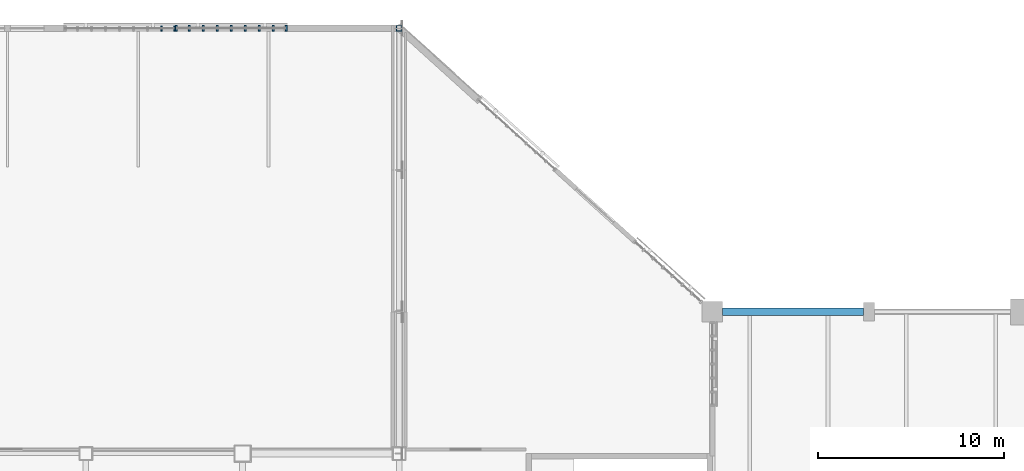
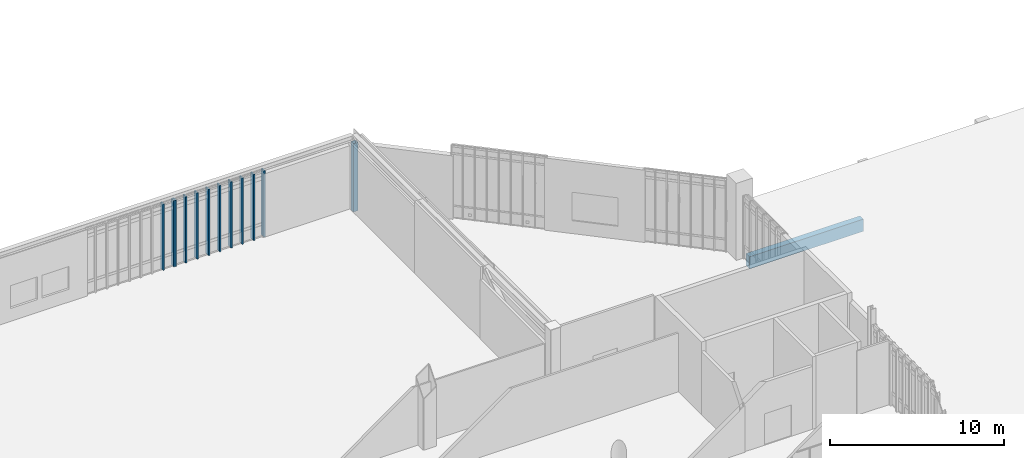
# One storey, part 31 of 135: 12 members, 1 beam, 2 elements without a shape of their own.
"""IFC4 building model written with IfcOpenShell, lengths in metres."""

from ifc_helpers import new_model, si_unit, direction, frame, origin, origin_2d, place, context, subcontext, project, spatial, rectangle, hollow_rectangle, extrude, material, material_profile, profile_set, type_object, element, aggregate, save


model = new_model("IFC4")

# Units and contexts
model_context = context("Model", 3, precision=1e-05, world=origin(), true_north=direction((0.0, 1.0)))
body_context = subcontext(model_context, "Body", "Model", "MODEL_VIEW")
ifc_project = project(units=[si_unit("LENGTHUNIT", "METRE"), si_unit("AREAUNIT", "SQUARE_METRE"), si_unit("VOLUMEUNIT", "CUBIC_METRE"), si_unit("PLANEANGLEUNIT", "RADIAN"), si_unit("MASSUNIT", "GRAM", prefix="KILO")], contexts=[model_context])

# Site, building, storey
site_placement = place(None, origin())
site = spatial("IfcSite", under=ifc_project, at=site_placement, CompositionType="ELEMENT")
building_placement = place(site_placement, origin())
building = spatial("IfcBuilding", under=site, at=building_placement, Name="Larkvane Passage Sports Hall", CompositionType="ELEMENT")
storey_placement = place(building_placement, frame((0.0, 0.0, 16.800048828125)))
storey = spatial("IfcBuildingStorey", under=building, at=storey_placement, Name="L03", CompositionType="ELEMENT", Elevation=16.800048828125)

# Curtain wall, members
ifc_material_1 = material(Name="Thermally broken aluminium and low-E glazing", Category="aluminium")
curtain_wall_type_1 = type_object("IfcCurtainWallType", Name="CW-CLINIC", PredefinedType="USERDEFINED", material=ifc_material_1)
curtain_wall_1_placement = place(storey_placement, origin())
curtain_wall_1 = element("IfcCurtainWall", 1, at=curtain_wall_1_placement, inside=storey, type_object=curtain_wall_type_1, Name="Curtain wall CW5-L03-139", ObjectType="UNITISED CURTAIN WALL", PredefinedType="USERDEFINED")
ifc_material_2 = material(Name="Anodised aluminium 6063-T6", Category="aluminium")
ifc_material_profile_1 = material_profile(ifc_material_2, rectangle(XDim=0.10009765625, YDim=0.320068359375, at=origin_2d()), Name="ALU-MUL-100x320")
ifc_profile_set_1 = profile_set([ifc_material_profile_1], Name="Anodised aluminium 6063-T6")
member_type_1 = type_object("IfcMemberType", Name="CW-MUL-100x320", PredefinedType="MULLION", material=ifc_profile_set_1)
member_1_placement = place(storey_placement, frame((64.85009765625, 114.39990234375, 0.0), z_axis=(0.0, 0.0, 1.0), x_axis=(1.0, 0.0, 0.0)))
member_1 = element("IfcMember", 2, at=member_1_placement, type_object=member_type_1, Name="CW-05 mullion 1", PredefinedType="MULLION", context=body_context, shape_type="SweptSolid", body=[
    extrude(rectangle(XDim=0.10009765625, YDim=0.320068359375, at=origin_2d()), origin(), (0.0, 0.0, 1.0), 4.64794921875),
])
member_2_placement = place(storey_placement, frame((65.550048828125, 114.39990234375, 0.0), z_axis=(0.0, 0.0, 1.0), x_axis=(1.0, 0.0, 0.0)))
member_2 = element("IfcMember", 3, at=member_2_placement, type_object=member_type_1, Name="CW-05 mullion 2", PredefinedType="MULLION", context=body_context, shape_type="SweptSolid", body=[
    extrude(rectangle(XDim=0.10009765625, YDim=0.320068359375, at=origin_2d()), origin(), (0.0, 0.0, 1.0), 4.64794921875),
])
member_3_placement = place(storey_placement, frame((66.300048828125, 114.39990234375, 0.0), z_axis=(0.0, 0.0, 1.0), x_axis=(1.0, 0.0, 0.0)))
member_3 = element("IfcMember", 4, at=member_3_placement, type_object=member_type_1, Name="CW-05 mullion 3", PredefinedType="MULLION", context=body_context, shape_type="SweptSolid", body=[
    extrude(rectangle(XDim=0.10009765625, YDim=0.320068359375, at=origin_2d()), origin(), (0.0, 0.0, 1.0), 4.64794921875),
])
member_4_placement = place(storey_placement, frame((67.050048828125, 114.39990234375, 0.0), z_axis=(0.0, 0.0, 1.0), x_axis=(1.0, 0.0, 0.0)))
member_4 = element("IfcMember", 5, at=member_4_placement, type_object=member_type_1, Name="CW-05 mullion 4", PredefinedType="MULLION", context=body_context, shape_type="SweptSolid", body=[
    extrude(rectangle(XDim=0.10009765625, YDim=0.320068359375, at=origin_2d()), origin(), (0.0, 0.0, 1.0), 4.64794921875),
])
member_5_placement = place(storey_placement, frame((67.800048828125, 114.39990234375, 0.0), z_axis=(0.0, 0.0, 1.0), x_axis=(1.0, 0.0, 0.0)))
member_5 = element("IfcMember", 6, at=member_5_placement, type_object=member_type_1, Name="CW-05 mullion 5", PredefinedType="MULLION", context=body_context, shape_type="SweptSolid", body=[
    extrude(rectangle(XDim=0.10009765625, YDim=0.320068359375, at=origin_2d()), origin(), (0.0, 0.0, 1.0), 4.64794921875),
])
member_6_placement = place(storey_placement, frame((68.550048828125, 114.39990234375, 0.0), z_axis=(0.0, 0.0, 1.0), x_axis=(1.0, 0.0, 0.0)))
member_6 = element("IfcMember", 7, at=member_6_placement, type_object=member_type_1, Name="CW-05 mullion 6", PredefinedType="MULLION", context=body_context, shape_type="SweptSolid", body=[
    extrude(rectangle(XDim=0.10009765625, YDim=0.320068359375, at=origin_2d()), origin(), (0.0, 0.0, 1.0), 4.64794921875),
])
member_7_placement = place(storey_placement, frame((69.300048828125, 114.39990234375, 0.0), z_axis=(0.0, 0.0, 1.0), x_axis=(1.0, 0.0, 0.0)))
member_7 = element("IfcMember", 8, at=member_7_placement, type_object=member_type_1, Name="CW-05 mullion 7", PredefinedType="MULLION", context=body_context, shape_type="SweptSolid", body=[
    extrude(rectangle(XDim=0.10009765625, YDim=0.320068359375, at=origin_2d()), origin(), (0.0, 0.0, 1.0), 4.64794921875),
])
member_8_placement = place(storey_placement, frame((70.050048828125, 114.39990234375, 0.0), z_axis=(0.0, 0.0, 1.0), x_axis=(1.0, 0.0, 0.0)))
member_8 = element("IfcMember", 9, at=member_8_placement, type_object=member_type_1, Name="CW-05 mullion 8", PredefinedType="MULLION", context=body_context, shape_type="SweptSolid", body=[
    extrude(rectangle(XDim=0.10009765625, YDim=0.320068359375, at=origin_2d()), origin(), (0.0, 0.0, 1.0), 4.64794921875),
])
member_9_placement = place(storey_placement, frame((70.75, 114.39990234375, 0.0), z_axis=(0.0, 0.0, 1.0), x_axis=(1.0, 0.0, 0.0)))
member_9 = element("IfcMember", 10, at=member_9_placement, type_object=member_type_1, Name="CW-05 mullion 9", PredefinedType="MULLION", context=body_context, shape_type="SweptSolid", body=[
    extrude(rectangle(XDim=0.10009765625, YDim=0.320068359375, at=origin_2d()), origin(), (0.0, 0.0, 1.0), 4.64794921875),
])
aggregate(curtain_wall_1, [member_1, member_2, member_3, member_4, member_5, member_6, member_7, member_8, member_9])

curtain_wall_type_2 = type_object("IfcCurtainWallType", Name="CW-STICK-FOYER", PredefinedType="USERDEFINED", material=ifc_material_1)
curtain_wall_2_placement = place(storey_placement, origin())
curtain_wall_2 = element("IfcCurtainWall", 11, at=curtain_wall_2_placement, inside=storey, type_object=curtain_wall_type_2, Name="Curtain wall CW5-L03-138", ObjectType="STICK CURTAIN WALL", PredefinedType="USERDEFINED")
ifc_material_profile_2 = material_profile(ifc_material_2, rectangle(XDim=0.090087890625, YDim=0.280029296875, at=origin_2d()), Name="ALU-MUL-90x280")
ifc_profile_set_2 = profile_set([ifc_material_profile_2], Name="Anodised aluminium 6063-T6")
member_type_2 = type_object("IfcMemberType", Name="CW-MUL-90x280", PredefinedType="MULLION", material=ifc_profile_set_2)
member_10_placement = place(storey_placement, frame((64.050048828125, 114.39990234375, 0.0), z_axis=(0.0, 0.0, 1.0), x_axis=(1.0, 0.0, 0.0)))
member_10 = element("IfcMember", 12, at=member_10_placement, type_object=member_type_2, Name="CW-03 mullion 8", PredefinedType="MULLION", context=body_context, shape_type="SweptSolid", body=[
    extrude(rectangle(XDim=0.090087890625, YDim=0.280029296875, at=origin_2d()), origin(), (0.0, 0.0, 1.0), 4.64794921875),
])
member_11_placement = place(storey_placement, frame((64.7548828125, 114.39990234375, 0.0), z_axis=(0.0, 0.0, 1.0), x_axis=(1.0, 0.0, 0.0)))
member_11 = element("IfcMember", 13, at=member_11_placement, type_object=member_type_2, Name="CW-03 mullion 9", PredefinedType="MULLION", context=body_context, shape_type="SweptSolid", body=[
    extrude(rectangle(XDim=0.090087890625, YDim=0.280029296875, at=origin_2d()), origin(), (0.0, 0.0, 1.0), 4.64794921875),
])
aggregate(curtain_wall_2, [member_10, member_11])

# Member
ifc_material_3 = material(Name="Steel S460N", Category="steel")
ifc_material_profile_3 = material_profile(ifc_material_3, hollow_rectangle(XDim=0.300048828125, YDim=0.300048828125, WallThickness=0.011962890625, InnerFilletRadius=0.011962890625, OuterFilletRadius=0.02392578125, at=origin_2d()), Name="SHS-300x300x12")
ifc_profile_set_3 = profile_set([ifc_material_profile_3], Name="Steel S460N")
member_type_3 = type_object("IfcMemberType", Name="MBR-ST-SHS300", PredefinedType="STRUT", material=ifc_profile_set_3)
member_12_placement = place(storey_placement, frame((76.800048828125, 114.39990234375, -0.320068359375), z_axis=(0.0, 0.0, 1.0), x_axis=(1.0, 0.0, 0.0)))
element("IfcMember", 14, at=member_12_placement, inside=storey, type_object=member_type_3, Name="Cantilever truss CT-N3A-2 vertical post 4", PredefinedType="STRUT", context=body_context, shape_type="SweptSolid", body=[
    extrude(hollow_rectangle(XDim=0.300048828125, YDim=0.300048828125, WallThickness=0.011962890625, InnerFilletRadius=0.011962890625, OuterFilletRadius=0.02392578125, at=origin_2d()), origin(), (0.0, 0.0, 1.0), 4.781982421875),
])

# Beam
ifc_material_4 = material(Name="Concrete C40/50", Category="concrete")
ifc_material_profile_4 = material_profile(ifc_material_4, rectangle(XDim=0.39990234375, YDim=0.85009765625, at=origin_2d()), Name="RC-SP-400x850")
ifc_profile_set_4 = profile_set([ifc_material_profile_4], Name="Concrete C40/50")
beam_type = type_object("IfcBeamType", Name="SP-RC-400x850", PredefinedType="SPANDREL", material=ifc_profile_set_4)
beam_placement = place(storey_placement, frame((94.14990234375, 99.199951171875, -0.76513671875), z_axis=(1.0, 0.0, 0.0), x_axis=(0.0, 1.0, 0.0)))
element("IfcBeam", 15, at=beam_placement, inside=storey, type_object=beam_type, Name="Girder BM5-X-L03-M-1014", PredefinedType="SPANDREL", context=body_context, shape_type="SweptSolid", body=[
    extrude(rectangle(XDim=0.39990234375, YDim=0.85009765625, at=origin_2d()), origin(), (0.0, 0.0, 1.0), 7.550048828125),
])

save(model, "model.ifc")
